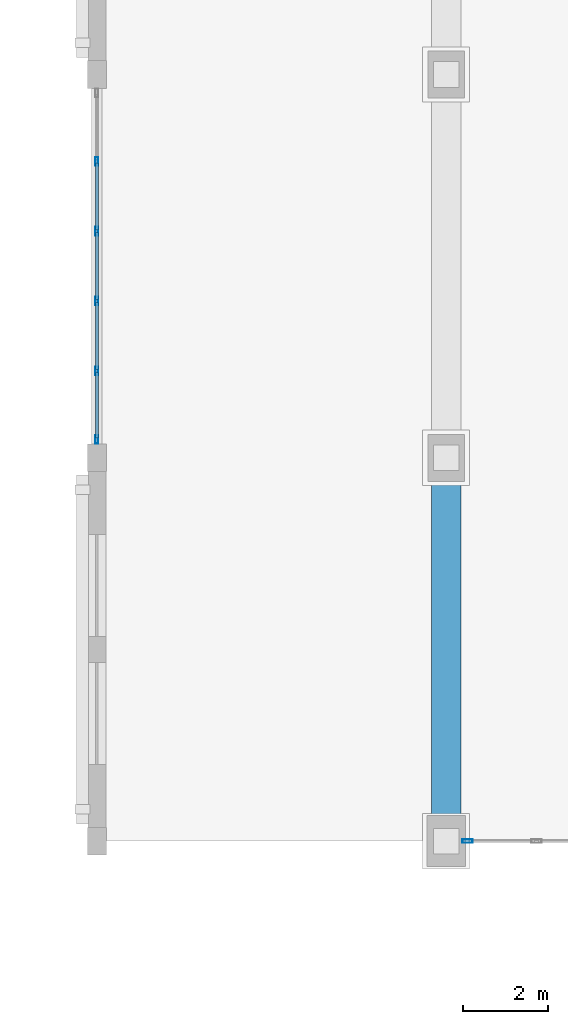
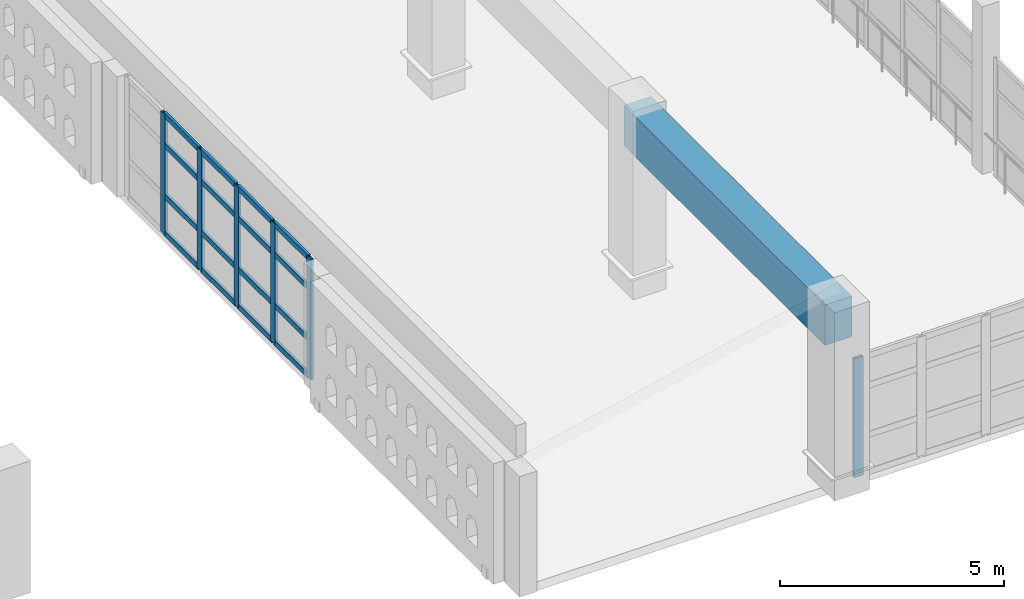
# One storey, part 3 of 80: 22 members, 1 beam, 2 elements without a shape of their own.
"""IFC4 building model written with IfcOpenShell, lengths in metres."""

from ifc_helpers import new_model, si_unit, direction, frame, origin, origin_2d, place, context, subcontext, project, spatial, rectangle, hollow_rectangle, extrude, material, layer, layer_set, material_profile, profile_set, type_object, element, aggregate, save


model = new_model("IFC4")

# Units and contexts
model_context = context("Model", 3, precision=1e-05, world=origin(), true_north=direction((0.0, 1.0)))
body_context = subcontext(model_context, "Body", "Model", "MODEL_VIEW")
ifc_project = project(units=[si_unit("LENGTHUNIT", "METRE"), si_unit("AREAUNIT", "SQUARE_METRE"), si_unit("VOLUMEUNIT", "CUBIC_METRE"), si_unit("PLANEANGLEUNIT", "RADIAN"), si_unit("MASSUNIT", "GRAM", prefix="KILO")], contexts=[model_context])

# Site, building, storey
site_placement = place(None, origin())
site = spatial("IfcSite", under=ifc_project, at=site_placement, CompositionType="ELEMENT")
building_placement = place(site_placement, origin())
building = spatial("IfcBuilding", under=site, at=building_placement, Name="Ornek Quay Market", CompositionType="ELEMENT")
storey_placement = place(building_placement, frame((0.0, 0.0, 8.39990234375)))
storey = spatial("IfcBuildingStorey", under=building, at=storey_placement, Name="L02", CompositionType="ELEMENT", Elevation=8.39990234375)

# Beam
ifc_material_1 = material(Name="Concrete C45/55", Category="concrete")
ifc_material_profile_1 = material_profile(ifc_material_1, rectangle(XDim=0.699951171875, YDim=1.10009765625, at=origin_2d()), Name="RC 700x1100", Category="concrete")
ifc_profile_set_1 = profile_set([ifc_material_profile_1], Name="Concrete C45/55")
beam_type = type_object("IfcBeamType", Name="BM-ARCH-TIE-700x1100", PredefinedType="BEAM", material=ifc_profile_set_1)
beam_placement = place(storey_placement, frame((63.0, 29.0, 4.400146484375), z_axis=(0.0, 1.0, 0.0), x_axis=(-1.0, 0.0, 0.0)))
element("IfcBeam", 1, at=beam_placement, inside=storey, type_object=beam_type, Name="Arch springing edge tie beam D-W", PredefinedType="BEAM", context=body_context, shape_type="SweptSolid", body=[
    extrude(rectangle(XDim=0.699951171875, YDim=1.10009765625, at=origin_2d()), origin(), (0.0, 0.0, 1.0), 9.0),
])

# Curtain wall, members
ifc_material_2 = material(Name="Anodised bronze aluminium and triple low-e glass", Category="aluminium")
ifc_layer = layer(ifc_material_2, 0.239990234375, Name="Anodised bronze aluminium and triple low-e glass", Category="aluminium")
ifc_layer_set = layer_set([ifc_layer], Name="Anodised bronze aluminium and triple low-e glass")
curtain_wall_type = type_object("IfcCurtainWallType", Name="CW-GAB-MOD1800", PredefinedType="USERDEFINED", material=ifc_layer_set)
curtain_wall_1_placement = place(storey_placement, origin())
curtain_wall_1 = element("IfcCurtainWall", 2, at=curtain_wall_1_placement, inside=storey, type_object=curtain_wall_type, Name="Curtain wall CW-057", ObjectType="CURTAIN WALL", PredefinedType="USERDEFINED")
ifc_material_3 = material(Name="Anodised aluminium 6063-T6", Category="aluminium")
ifc_material_profile_2 = material_profile(ifc_material_3, hollow_rectangle(XDim=0.070068359375, YDim=0.199951171875, WallThickness=0.0048828125, at=origin_2d()), Name="CW-MUL-70x200", Category="aluminium")
ifc_profile_set_2 = profile_set([ifc_material_profile_2], Name="Anodised aluminium 6063-T6")
member_type_1 = type_object("IfcMemberType", Name="CW-MUL-70x200", PredefinedType="MULLION", material=ifc_profile_set_2)
member_1_placement = place(storey_placement, frame((54.800048828125, 38.43505859375, 0.0), z_axis=(0.0, 0.0, 1.0), x_axis=(-1.0, 0.0, 0.0)))
member_1 = element("IfcMember", 3, at=member_1_placement, type_object=member_type_1, Name="CW-057 mullion 1", PredefinedType="MULLION", context=body_context, shape_type="SweptSolid", body=[
    extrude(hollow_rectangle(XDim=0.070068359375, YDim=0.199951171875, WallThickness=0.0048828125, at=origin_2d()), origin(), (0.0, 0.0, 1.0), 3.2900390625),
])
member_2_placement = place(storey_placement, frame((54.800048828125, 40.0400390625, 0.0), z_axis=(0.0, 0.0, 1.0), x_axis=(-1.0, 0.0, 0.0)))
member_2 = element("IfcMember", 4, at=member_2_placement, type_object=member_type_1, Name="CW-057 mullion 2", PredefinedType="MULLION", context=body_context, shape_type="SweptSolid", body=[
    extrude(hollow_rectangle(XDim=0.070068359375, YDim=0.199951171875, WallThickness=0.0048828125, at=origin_2d()), origin(), (0.0, 0.0, 1.0), 3.2900390625),
])
member_3_placement = place(storey_placement, frame((54.800048828125, 41.679931640625, 0.0), z_axis=(0.0, 0.0, 1.0), x_axis=(-1.0, 0.0, 0.0)))
member_3 = element("IfcMember", 5, at=member_3_placement, type_object=member_type_1, Name="CW-057 mullion 3", PredefinedType="MULLION", context=body_context, shape_type="SweptSolid", body=[
    extrude(hollow_rectangle(XDim=0.070068359375, YDim=0.199951171875, WallThickness=0.0048828125, at=origin_2d()), origin(), (0.0, 0.0, 1.0), 3.2900390625),
])
member_4_placement = place(storey_placement, frame((54.800048828125, 43.320068359375, 0.0), z_axis=(0.0, 0.0, 1.0), x_axis=(-1.0, 0.0, 0.0)))
member_4 = element("IfcMember", 6, at=member_4_placement, type_object=member_type_1, Name="CW-057 mullion 4", PredefinedType="MULLION", context=body_context, shape_type="SweptSolid", body=[
    extrude(hollow_rectangle(XDim=0.070068359375, YDim=0.199951171875, WallThickness=0.0048828125, at=origin_2d()), origin(), (0.0, 0.0, 1.0), 3.2900390625),
])
member_5_placement = place(storey_placement, frame((54.800048828125, 44.9599609375, 0.0), z_axis=(0.0, 0.0, 1.0), x_axis=(-1.0, 0.0, 0.0)))
member_5 = element("IfcMember", 7, at=member_5_placement, type_object=member_type_1, Name="CW-057 mullion 5", PredefinedType="MULLION", context=body_context, shape_type="SweptSolid", body=[
    extrude(hollow_rectangle(XDim=0.070068359375, YDim=0.199951171875, WallThickness=0.0048828125, at=origin_2d()), origin(), (0.0, 0.0, 1.0), 3.2900390625),
])

# Curtain wall, member
curtain_wall_2_placement = place(storey_placement, origin())
curtain_wall_2 = element("IfcCurtainWall", 8, at=curtain_wall_2_placement, inside=storey, type_object=curtain_wall_type, Name="Curtain wall CW-063", ObjectType="CURTAIN WALL", PredefinedType="USERDEFINED")
ifc_material_profile_3 = material_profile(ifc_material_3, hollow_rectangle(XDim=0.080078125, YDim=0.239990234375, WallThickness=0.006103515625, at=origin_2d()), Name="CW-MUL-80x240", Category="aluminium")
ifc_profile_set_3 = profile_set([ifc_material_profile_3], Name="Anodised aluminium 6063-T6")
member_type_2 = type_object("IfcMemberType", Name="CW-MUL-80x240", PredefinedType="MULLION", material=ifc_profile_set_3)
member_6_placement = place(storey_placement, frame((63.5, 29.0, 0.0), z_axis=(0.0, 0.0, 1.0), x_axis=(0.0, 1.0, 0.0)))
member_6 = element("IfcMember", 9, at=member_6_placement, type_object=member_type_2, Name="CW-063 mullion 1", PredefinedType="MULLION", context=body_context, shape_type="SweptSolid", body=[
    extrude(hollow_rectangle(XDim=0.080078125, YDim=0.239990234375, WallThickness=0.006103515625, at=origin_2d()), origin(), (0.0, 0.0, 1.0), 3.25),
])
aggregate(curtain_wall_2, [member_6])

# Member
ifc_material_profile_4 = material_profile(ifc_material_3, hollow_rectangle(XDim=0.070068359375, YDim=0.14990234375, WallThickness=0.0048828125, at=origin_2d()), Name="CW-TRN-70x150", Category="aluminium")
ifc_profile_set_4 = profile_set([ifc_material_profile_4], Name="Anodised aluminium 6063-T6")
member_type_3 = type_object("IfcMemberType", Name="CW-TRN-70x150", PredefinedType="USERDEFINED", material=ifc_profile_set_4)
member_7_placement = place(storey_placement, frame((54.800048828125, 38.469970703125, 0.03515625), z_axis=(0.0, 1.0, 0.0), x_axis=(-1.0, 0.0, 0.0)))
member_7 = element("IfcMember", 10, at=member_7_placement, type_object=member_type_3, Name="CW-057 transom 1.1", ObjectType="TRANSOM", PredefinedType="USERDEFINED", context=body_context, shape_type="SweptSolid", body=[
    extrude(hollow_rectangle(XDim=0.070068359375, YDim=0.14990234375, WallThickness=0.0048828125, at=origin_2d()), origin(), (0.0, 0.0, 1.0), 1.534912109375),
])

member_8_placement = place(storey_placement, frame((54.800048828125, 38.469970703125, 1.050048828125), z_axis=(0.0, 1.0, 0.0), x_axis=(-1.0, 0.0, 0.0)))
member_8 = element("IfcMember", 11, at=member_8_placement, type_object=member_type_3, Name="CW-057 transom 1.2", ObjectType="TRANSOM", PredefinedType="USERDEFINED", context=body_context, shape_type="SweptSolid", body=[
    extrude(hollow_rectangle(XDim=0.070068359375, YDim=0.14990234375, WallThickness=0.0048828125, at=origin_2d()), origin(), (0.0, 0.0, 1.0), 1.534912109375),
])

member_9_placement = place(storey_placement, frame((54.800048828125, 38.469970703125, 2.440185546875), z_axis=(0.0, 1.0, 0.0), x_axis=(-1.0, 0.0, 0.0)))
member_9 = element("IfcMember", 12, at=member_9_placement, type_object=member_type_3, Name="CW-057 transom 1.3", ObjectType="TRANSOM", PredefinedType="USERDEFINED", context=body_context, shape_type="SweptSolid", body=[
    extrude(hollow_rectangle(XDim=0.070068359375, YDim=0.14990234375, WallThickness=0.0048828125, at=origin_2d()), origin(), (0.0, 0.0, 1.0), 1.534912109375),
])

member_10_placement = place(storey_placement, frame((54.800048828125, 38.469970703125, 3.255126953125), z_axis=(0.0, 1.0, 0.0), x_axis=(-1.0, 0.0, 0.0)))
member_10 = element("IfcMember", 13, at=member_10_placement, type_object=member_type_3, Name="CW-057 transom 1.4", ObjectType="TRANSOM", PredefinedType="USERDEFINED", context=body_context, shape_type="SweptSolid", body=[
    extrude(hollow_rectangle(XDim=0.070068359375, YDim=0.14990234375, WallThickness=0.0048828125, at=origin_2d()), origin(), (0.0, 0.0, 1.0), 1.534912109375),
])

member_11_placement = place(storey_placement, frame((54.800048828125, 40.074951171875, 0.03515625), z_axis=(0.0, 1.0, 0.0), x_axis=(-1.0, 0.0, 0.0)))
member_11 = element("IfcMember", 14, at=member_11_placement, type_object=member_type_3, Name="CW-057 transom 2.1", ObjectType="TRANSOM", PredefinedType="USERDEFINED", context=body_context, shape_type="SweptSolid", body=[
    extrude(hollow_rectangle(XDim=0.070068359375, YDim=0.14990234375, WallThickness=0.0048828125, at=origin_2d()), origin(), (0.0, 0.0, 1.0), 1.570068359375),
])

member_12_placement = place(storey_placement, frame((54.800048828125, 40.074951171875, 1.050048828125), z_axis=(0.0, 1.0, 0.0), x_axis=(-1.0, 0.0, 0.0)))
member_12 = element("IfcMember", 15, at=member_12_placement, type_object=member_type_3, Name="CW-057 transom 2.2", ObjectType="TRANSOM", PredefinedType="USERDEFINED", context=body_context, shape_type="SweptSolid", body=[
    extrude(hollow_rectangle(XDim=0.070068359375, YDim=0.14990234375, WallThickness=0.0048828125, at=origin_2d()), origin(), (0.0, 0.0, 1.0), 1.570068359375),
])

member_13_placement = place(storey_placement, frame((54.800048828125, 40.074951171875, 2.440185546875), z_axis=(0.0, 1.0, 0.0), x_axis=(-1.0, 0.0, 0.0)))
member_13 = element("IfcMember", 16, at=member_13_placement, type_object=member_type_3, Name="CW-057 transom 2.3", ObjectType="TRANSOM", PredefinedType="USERDEFINED", context=body_context, shape_type="SweptSolid", body=[
    extrude(hollow_rectangle(XDim=0.070068359375, YDim=0.14990234375, WallThickness=0.0048828125, at=origin_2d()), origin(), (0.0, 0.0, 1.0), 1.570068359375),
])

member_14_placement = place(storey_placement, frame((54.800048828125, 40.074951171875, 3.255126953125), z_axis=(0.0, 1.0, 0.0), x_axis=(-1.0, 0.0, 0.0)))
member_14 = element("IfcMember", 17, at=member_14_placement, type_object=member_type_3, Name="CW-057 transom 2.4", ObjectType="TRANSOM", PredefinedType="USERDEFINED", context=body_context, shape_type="SweptSolid", body=[
    extrude(hollow_rectangle(XDim=0.070068359375, YDim=0.14990234375, WallThickness=0.0048828125, at=origin_2d()), origin(), (0.0, 0.0, 1.0), 1.570068359375),
])

member_15_placement = place(storey_placement, frame((54.800048828125, 41.715087890625, 0.03515625), z_axis=(0.0, 1.0, 0.0), x_axis=(-1.0, 0.0, 0.0)))
member_15 = element("IfcMember", 18, at=member_15_placement, type_object=member_type_3, Name="CW-057 transom 3.1", ObjectType="TRANSOM", PredefinedType="USERDEFINED", context=body_context, shape_type="SweptSolid", body=[
    extrude(hollow_rectangle(XDim=0.070068359375, YDim=0.14990234375, WallThickness=0.0048828125, at=origin_2d()), origin(), (0.0, 0.0, 1.0), 1.56982421875),
])

member_16_placement = place(storey_placement, frame((54.800048828125, 41.715087890625, 1.050048828125), z_axis=(0.0, 1.0, 0.0), x_axis=(-1.0, 0.0, 0.0)))
member_16 = element("IfcMember", 19, at=member_16_placement, type_object=member_type_3, Name="CW-057 transom 3.2", ObjectType="TRANSOM", PredefinedType="USERDEFINED", context=body_context, shape_type="SweptSolid", body=[
    extrude(hollow_rectangle(XDim=0.070068359375, YDim=0.14990234375, WallThickness=0.0048828125, at=origin_2d()), origin(), (0.0, 0.0, 1.0), 1.56982421875),
])

member_17_placement = place(storey_placement, frame((54.800048828125, 41.715087890625, 2.440185546875), z_axis=(0.0, 1.0, 0.0), x_axis=(-1.0, 0.0, 0.0)))
member_17 = element("IfcMember", 20, at=member_17_placement, type_object=member_type_3, Name="CW-057 transom 3.3", ObjectType="TRANSOM", PredefinedType="USERDEFINED", context=body_context, shape_type="SweptSolid", body=[
    extrude(hollow_rectangle(XDim=0.070068359375, YDim=0.14990234375, WallThickness=0.0048828125, at=origin_2d()), origin(), (0.0, 0.0, 1.0), 1.56982421875),
])

member_18_placement = place(storey_placement, frame((54.800048828125, 41.715087890625, 3.255126953125), z_axis=(0.0, 1.0, 0.0), x_axis=(-1.0, 0.0, 0.0)))
member_18 = element("IfcMember", 21, at=member_18_placement, type_object=member_type_3, Name="CW-057 transom 3.4", ObjectType="TRANSOM", PredefinedType="USERDEFINED", context=body_context, shape_type="SweptSolid", body=[
    extrude(hollow_rectangle(XDim=0.070068359375, YDim=0.14990234375, WallThickness=0.0048828125, at=origin_2d()), origin(), (0.0, 0.0, 1.0), 1.56982421875),
])

member_19_placement = place(storey_placement, frame((54.800048828125, 43.35498046875, 0.03515625), z_axis=(0.0, 1.0, 0.0), x_axis=(-1.0, 0.0, 0.0)))
member_19 = element("IfcMember", 22, at=member_19_placement, type_object=member_type_3, Name="CW-057 transom 4.1", ObjectType="TRANSOM", PredefinedType="USERDEFINED", context=body_context, shape_type="SweptSolid", body=[
    extrude(hollow_rectangle(XDim=0.070068359375, YDim=0.14990234375, WallThickness=0.0048828125, at=origin_2d()), origin(), (0.0, 0.0, 1.0), 1.570068359375),
])

member_20_placement = place(storey_placement, frame((54.800048828125, 43.35498046875, 1.050048828125), z_axis=(0.0, 1.0, 0.0), x_axis=(-1.0, 0.0, 0.0)))
member_20 = element("IfcMember", 23, at=member_20_placement, type_object=member_type_3, Name="CW-057 transom 4.2", ObjectType="TRANSOM", PredefinedType="USERDEFINED", context=body_context, shape_type="SweptSolid", body=[
    extrude(hollow_rectangle(XDim=0.070068359375, YDim=0.14990234375, WallThickness=0.0048828125, at=origin_2d()), origin(), (0.0, 0.0, 1.0), 1.570068359375),
])

member_21_placement = place(storey_placement, frame((54.800048828125, 43.35498046875, 2.440185546875), z_axis=(0.0, 1.0, 0.0), x_axis=(-1.0, 0.0, 0.0)))
member_21 = element("IfcMember", 24, at=member_21_placement, type_object=member_type_3, Name="CW-057 transom 4.3", ObjectType="TRANSOM", PredefinedType="USERDEFINED", context=body_context, shape_type="SweptSolid", body=[
    extrude(hollow_rectangle(XDim=0.070068359375, YDim=0.14990234375, WallThickness=0.0048828125, at=origin_2d()), origin(), (0.0, 0.0, 1.0), 1.570068359375),
])

member_22_placement = place(storey_placement, frame((54.800048828125, 43.35498046875, 3.255126953125), z_axis=(0.0, 1.0, 0.0), x_axis=(-1.0, 0.0, 0.0)))
member_22 = element("IfcMember", 25, at=member_22_placement, type_object=member_type_3, Name="CW-057 transom 4.4", ObjectType="TRANSOM", PredefinedType="USERDEFINED", context=body_context, shape_type="SweptSolid", body=[
    extrude(hollow_rectangle(XDim=0.070068359375, YDim=0.14990234375, WallThickness=0.0048828125, at=origin_2d()), origin(), (0.0, 0.0, 1.0), 1.570068359375),
])

aggregate(curtain_wall_1, [member_1, member_2, member_3, member_4, member_5, member_7, member_8, member_9, member_10, member_11, member_12, member_13, member_14, member_15, member_16, member_17, member_18, member_19, member_20, member_21, member_22])

save(model, "model.ifc")
